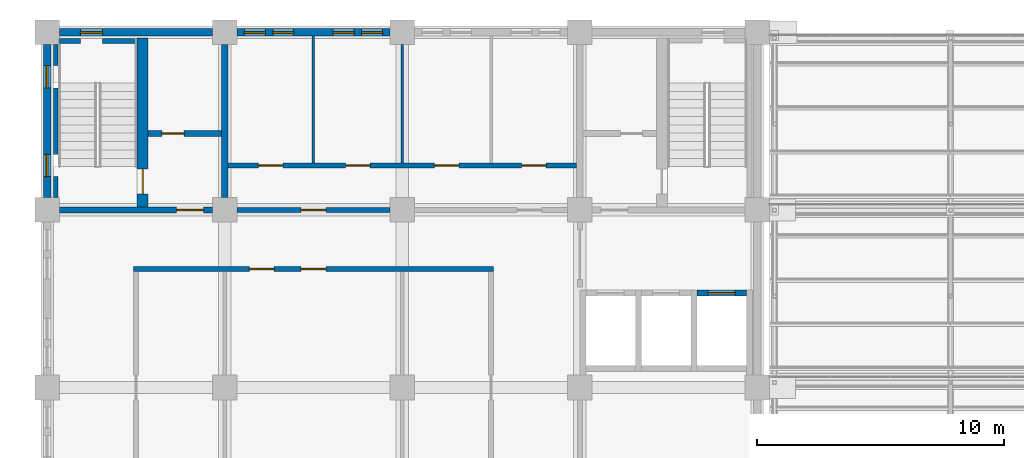
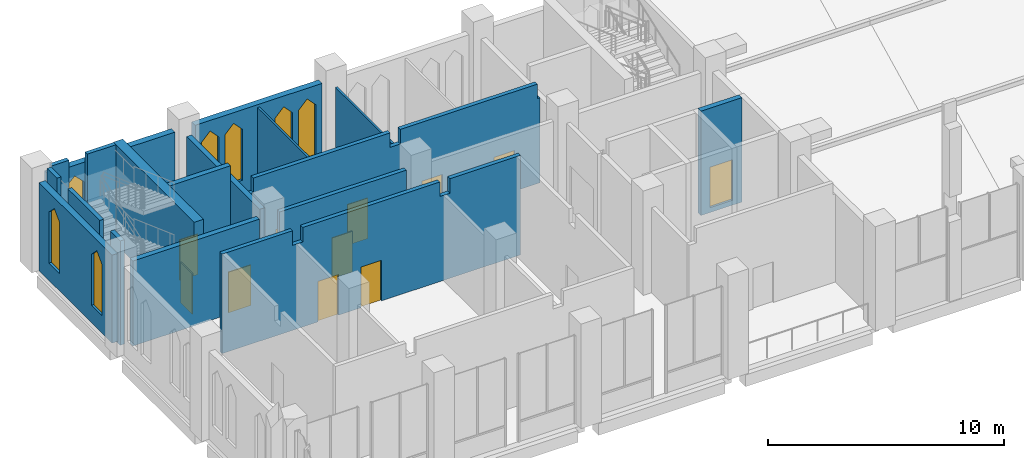
# One storey, part 72 of 83: 18 walls, 11 doors, 7 windows, 18 openings.
"""IFC4 building model written with IfcOpenShell, lengths in metres."""

from ifc_helpers import new_model, si_unit, direction, frame, frame_2d, origin, place, context, subcontext, project, spatial, polyline, rectangle, outline, extrude, material, layer, layer_set, type_object, element, fill, save


model = new_model("IFC4")

# Units and contexts
model_context = context("Model", 3, precision=1e-05, world=origin(), true_north=direction((0.0, 1.0)))
body_context = subcontext(model_context, "Body", "Model", "MODEL_VIEW")
ifc_project = project(units=[si_unit("LENGTHUNIT", "METRE"), si_unit("AREAUNIT", "SQUARE_METRE"), si_unit("VOLUMEUNIT", "CUBIC_METRE"), si_unit("PLANEANGLEUNIT", "RADIAN"), si_unit("MASSUNIT", "GRAM", prefix="KILO")], contexts=[model_context])

# Site, building, storey
site_placement = place(None, origin())
site = spatial("IfcSite", under=ifc_project, at=site_placement, CompositionType="ELEMENT")
building_placement = place(site_placement, origin())
building = spatial("IfcBuilding", under=site, at=building_placement, Name="Silangan Lancet Faculty of Sciences", CompositionType="ELEMENT")
storey_placement = place(building_placement, frame((0.0, 0.0, 11.39990234375)))
storey = spatial("IfcBuildingStorey", under=building, at=storey_placement, Name="L02", CompositionType="ELEMENT", Elevation=11.39990234375)

# Wall, openings, windows
ifc_material_1 = material(Name="Concrete C40/50 precast", Category="concrete")
ifc_layer_1 = layer(ifc_material_1, 0.300048828125)
ifc_layer_set_1 = layer_set([ifc_layer_1], Name="Concrete C40/50 precast")
wall_type_1 = type_object("IfcWallType", Name="EW2 Turret enclosure wall", PredefinedType="STANDARD", material=ifc_layer_set_1)
wall_1_placement = place(storey_placement, frame((0.0, 50.89990234375, 0.0), z_axis=(0.0, 0.0, 1.0), x_axis=(0.0, 1.0, 0.0)))
wall_1 = element("IfcWall", 1, at=wall_1_placement, inside=storey, type_object=wall_type_1, Name="EW-L02-W-NT-02", PredefinedType="STANDARD", context=body_context, shape_type="SweptSolid", body=[
    extrude(rectangle(XDim=6.2001953125, YDim=0.300048828125, at=frame_2d((3.10009765625, 0.0))), origin(), (0.0, 0.0, 1.0), 4.550048828125),
])
opening_1_placement = place(wall_1_placement, frame((0.85009765625, 0.0, 0.89990234375)))
opening_1 = element("IfcOpeningElement", 2, at=opening_1_placement, cuts=wall_1, Name="Opening W8", PredefinedType="OPENING", context=body_context, shape_type="SweptSolid", body=[
    extrude(outline(polyline([(0.0, 0.0), (0.89990234375, 0.0), (0.89990234375, 2.650146484375), (0.449951171875, 3.10009765625), (0.0, 2.650146484375), (0.0, 0.0)])), frame((0.0, 0.159912109375, 0.0), z_axis=(0.0, -1.0, 0.0), x_axis=(1.0, 0.0, 0.0)), (0.0, 0.0, 1.0), 0.320068359375),
])
opening_2_placement = place(wall_1_placement, frame((4.449951171875, 0.0, 0.89990234375)))
opening_2 = element("IfcOpeningElement", 3, at=opening_2_placement, cuts=wall_1, Name="Opening W8", PredefinedType="OPENING", context=body_context, shape_type="SweptSolid", body=[
    extrude(outline(polyline([(0.0, 0.0), (0.89990234375, 0.0), (0.89990234375, 2.650146484375), (0.449951171875, 3.10009765625), (0.0, 2.650146484375), (0.0, 0.0)])), frame((0.0, 0.159912109375, 0.0), z_axis=(0.0, -1.0, 0.0), x_axis=(1.0, 0.0, 0.0)), (0.0, 0.0, 1.0), 0.320068359375),
])
ifc_material_2 = material(Name="Aluminium frame, laminated double glazing", Category="aluminium")
window_type_1 = type_object("IfcWindowType", Name="W8 Lancet window 900 x 3100", PartitioningType="SINGLE_PANEL", PredefinedType="WINDOW", material=ifc_material_2)
window_1_placement = place(opening_1_placement, origin())
window_1 = element("IfcWindow", 4, at=window_1_placement, inside=storey, type_object=window_type_1, Name="WIN-L02-W-NT-02a", OverallHeight=3.10009765625, OverallWidth=0.89990234375, PartitioningType="SINGLE_PANEL", PredefinedType="WINDOW", context=body_context, shape_type="SweptSolid", body=[
    extrude(outline(polyline([(0.0, 0.0), (0.89990234375, 0.0), (0.89990234375, 2.650146484375), (0.449951171875, 3.10009765625), (0.0, 2.650146484375), (0.0, 0.0)])), frame((0.0, 0.030029296875, 0.0), z_axis=(0.0, -1.0, 0.0), x_axis=(1.0, 0.0, 0.0)), (0.0, 0.0, 1.0), 0.06005859375),
])
fill(opening_1, window_1)
window_2_placement = place(opening_2_placement, origin())
window_2 = element("IfcWindow", 5, at=window_2_placement, inside=storey, type_object=window_type_1, Name="WIN-L02-W-NT-02b", OverallHeight=3.10009765625, OverallWidth=0.89990234375, PartitioningType="SINGLE_PANEL", PredefinedType="WINDOW", context=body_context, shape_type="SweptSolid", body=[
    extrude(outline(polyline([(0.0, 0.0), (0.89990234375, 0.0), (0.89990234375, 2.650146484375), (0.449951171875, 3.10009765625), (0.0, 2.650146484375), (0.0, 0.0)])), frame((0.0, 0.030029296875, 0.0), z_axis=(0.0, -1.0, 0.0), x_axis=(1.0, 0.0, 0.0)), (0.0, 0.0, 1.0), 0.06005859375),
])
fill(opening_2, window_2)

# Wall, opening, window
wall_2_placement = place(storey_placement, frame((6.699951171875, 57.60009765625, 0.0), z_axis=(0.0, 0.0, 1.0), x_axis=(-1.0, 0.0, 0.0)))
wall_2 = element("IfcWall", 6, at=wall_2_placement, inside=storey, type_object=wall_type_1, Name="EW-L02-N-NT-03", PredefinedType="STANDARD", context=body_context, shape_type="SweptSolid", body=[
    extrude(rectangle(XDim=6.199951171875, YDim=0.300048828125, at=frame_2d((3.10009765625, 0.0))), origin(), (0.0, 0.0, 1.0), 4.550048828125),
])
opening_3_placement = place(wall_2_placement, frame((4.449951171875, 0.0, 0.89990234375)))
opening_3 = element("IfcOpeningElement", 7, at=opening_3_placement, cuts=wall_2, Name="Opening W8", PredefinedType="OPENING", context=body_context, shape_type="SweptSolid", body=[
    extrude(outline(polyline([(0.0, 0.0), (0.89990234375, 0.0), (0.89990234375, 2.650146484375), (0.449951171875, 3.10009765625), (0.0, 2.650146484375), (0.0, 0.0)])), frame((0.0, 0.159912109375, 0.0), z_axis=(0.0, -1.0, 0.0), x_axis=(1.0, 0.0, 0.0)), (0.0, 0.0, 1.0), 0.320068359375),
])
window_3_placement = place(opening_3_placement, origin())
window_3 = element("IfcWindow", 8, at=window_3_placement, inside=storey, type_object=window_type_1, Name="WIN-L02-N-NT-03b", OverallHeight=3.10009765625, OverallWidth=0.89990234375, PartitioningType="SINGLE_PANEL", PredefinedType="WINDOW", context=body_context, shape_type="SweptSolid", body=[
    extrude(outline(polyline([(0.0, 0.0), (0.89990234375, 0.0), (0.89990234375, 2.650146484375), (0.449951171875, 3.10009765625), (0.0, 2.650146484375), (0.0, 0.0)])), frame((0.0, 0.030029296875, 0.0), z_axis=(0.0, -1.0, 0.0), x_axis=(1.0, 0.0, 0.0)), (0.0, 0.0, 1.0), 0.06005859375),
])
fill(opening_3, window_3)

# Wall, openings, windows
ifc_material_3 = material(Name="Concrete C40/50", Category="concrete")
ifc_layer_2 = layer(ifc_material_3, 0.300048828125)
ifc_layer_set_2 = layer_set([ifc_layer_2], Name="Concrete C40/50")
wall_type_2 = type_object("IfcWallType", Name="EW6 Stone-faced base wall", PredefinedType="STANDARD", material=ifc_layer_set_2)
wall_3_placement = place(storey_placement, frame((13.89990234375, 57.60009765625, 0.0), z_axis=(0.0, 0.0, 1.0), x_axis=(-1.0, 0.0, 0.0)))
wall_3 = element("IfcWall", 9, at=wall_3_placement, inside=storey, type_object=wall_type_2, Name="EW-L02-N-NT-02", PredefinedType="STANDARD", context=body_context, shape_type="SweptSolid", body=[
    extrude(rectangle(XDim=6.199951171875, YDim=0.300048828125, at=frame_2d((3.10009765625, 0.0))), origin(), (0.0, 0.0, 1.0), 4.550048828125),
])
opening_4_placement = place(wall_3_placement, frame((0.300048828125, 0.0, 0.89990234375)))
opening_4 = element("IfcOpeningElement", 10, at=opening_4_placement, cuts=wall_3, Name="Opening W9", PredefinedType="OPENING", context=body_context, shape_type="SweptSolid", body=[
    extrude(outline(polyline([(0.0, 0.0), (0.85009765625, 0.0), (0.85009765625, 2.650146484375), (0.425048828125, 3.10009765625), (0.0, 2.650146484375), (0.0, 0.0)])), frame((0.0, 0.159912109375, 0.0), z_axis=(0.0, -1.0, 0.0), x_axis=(1.0, 0.0, 0.0)), (0.0, 0.0, 1.0), 0.320068359375),
])
opening_5_placement = place(wall_3_placement, frame((1.449951171875, 0.0, 0.89990234375)))
opening_5 = element("IfcOpeningElement", 11, at=opening_5_placement, cuts=wall_3, Name="Opening W9", PredefinedType="OPENING", context=body_context, shape_type="SweptSolid", body=[
    extrude(outline(polyline([(0.0, 0.0), (0.85009765625, 0.0), (0.85009765625, 2.650146484375), (0.425048828125, 3.10009765625), (0.0, 2.650146484375), (0.0, 0.0)])), frame((0.0, 0.159912109375, 0.0), z_axis=(0.0, -1.0, 0.0), x_axis=(1.0, 0.0, 0.0)), (0.0, 0.0, 1.0), 0.320068359375),
])
opening_6_placement = place(wall_3_placement, frame((3.89990234375, 0.0, 0.89990234375)))
opening_6 = element("IfcOpeningElement", 12, at=opening_6_placement, cuts=wall_3, Name="Opening W9", PredefinedType="OPENING", context=body_context, shape_type="SweptSolid", body=[
    extrude(outline(polyline([(0.0, 0.0), (0.85009765625, 0.0), (0.85009765625, 2.650146484375), (0.425048828125, 3.10009765625), (0.0, 2.650146484375), (0.0, 0.0)])), frame((0.0, 0.159912109375, 0.0), z_axis=(0.0, -1.0, 0.0), x_axis=(1.0, 0.0, 0.0)), (0.0, 0.0, 1.0), 0.320068359375),
])
opening_7_placement = place(wall_3_placement, frame((5.050048828125, 0.0, 0.89990234375)))
opening_7 = element("IfcOpeningElement", 13, at=opening_7_placement, cuts=wall_3, Name="Opening W9", PredefinedType="OPENING", context=body_context, shape_type="SweptSolid", body=[
    extrude(outline(polyline([(0.0, 0.0), (0.85009765625, 0.0), (0.85009765625, 2.650146484375), (0.425048828125, 3.10009765625), (0.0, 2.650146484375), (0.0, 0.0)])), frame((0.0, 0.159912109375, 0.0), z_axis=(0.0, -1.0, 0.0), x_axis=(1.0, 0.0, 0.0)), (0.0, 0.0, 1.0), 0.320068359375),
])
ifc_material_4 = material(Name="Aluminium frame, laminated double glazing", Category="aluminium")
window_type_2 = type_object("IfcWindowType", Name="W9 Lancet window 850 x 3100", PartitioningType="SINGLE_PANEL", PredefinedType="WINDOW", material=ifc_material_4)
window_4_placement = place(opening_4_placement, origin())
window_4 = element("IfcWindow", 14, at=window_4_placement, inside=storey, type_object=window_type_2, Name="WIN-L02-N-NT-02a1", OverallHeight=3.10009765625, OverallWidth=0.85009765625, PartitioningType="SINGLE_PANEL", PredefinedType="WINDOW", context=body_context, shape_type="SweptSolid", body=[
    extrude(outline(polyline([(0.0, 0.0), (0.85009765625, 0.0), (0.85009765625, 2.650146484375), (0.425048828125, 3.10009765625), (0.0, 2.650146484375), (0.0, 0.0)])), frame((0.0, 0.030029296875, 0.0), z_axis=(0.0, -1.0, 0.0), x_axis=(1.0, 0.0, 0.0)), (0.0, 0.0, 1.0), 0.06005859375),
])
fill(opening_4, window_4)
window_5_placement = place(opening_5_placement, origin())
window_5 = element("IfcWindow", 15, at=window_5_placement, inside=storey, type_object=window_type_2, Name="WIN-L02-N-NT-02a2", OverallHeight=3.10009765625, OverallWidth=0.85009765625, PartitioningType="SINGLE_PANEL", PredefinedType="WINDOW", context=body_context, shape_type="SweptSolid", body=[
    extrude(outline(polyline([(0.0, 0.0), (0.85009765625, 0.0), (0.85009765625, 2.650146484375), (0.425048828125, 3.10009765625), (0.0, 2.650146484375), (0.0, 0.0)])), frame((0.0, 0.030029296875, 0.0), z_axis=(0.0, -1.0, 0.0), x_axis=(1.0, 0.0, 0.0)), (0.0, 0.0, 1.0), 0.06005859375),
])
fill(opening_5, window_5)
window_6_placement = place(opening_6_placement, origin())
window_6 = element("IfcWindow", 16, at=window_6_placement, inside=storey, type_object=window_type_2, Name="WIN-L02-N-NT-02b1", OverallHeight=3.10009765625, OverallWidth=0.85009765625, PartitioningType="SINGLE_PANEL", PredefinedType="WINDOW", context=body_context, shape_type="SweptSolid", body=[
    extrude(outline(polyline([(0.0, 0.0), (0.85009765625, 0.0), (0.85009765625, 2.650146484375), (0.425048828125, 3.10009765625), (0.0, 2.650146484375), (0.0, 0.0)])), frame((0.0, 0.030029296875, 0.0), z_axis=(0.0, -1.0, 0.0), x_axis=(1.0, 0.0, 0.0)), (0.0, 0.0, 1.0), 0.06005859375),
])
fill(opening_6, window_6)
window_7_placement = place(opening_7_placement, origin())
window_7 = element("IfcWindow", 17, at=window_7_placement, inside=storey, type_object=window_type_2, Name="WIN-L02-N-NT-02b2", OverallHeight=3.10009765625, OverallWidth=0.85009765625, PartitioningType="SINGLE_PANEL", PredefinedType="WINDOW", context=body_context, shape_type="SweptSolid", body=[
    extrude(outline(polyline([(0.0, 0.0), (0.85009765625, 0.0), (0.85009765625, 2.650146484375), (0.425048828125, 3.10009765625), (0.0, 2.650146484375), (0.0, 0.0)])), frame((0.0, 0.030029296875, 0.0), z_axis=(0.0, -1.0, 0.0), x_axis=(1.0, 0.0, 0.0)), (0.0, 0.0, 1.0), 0.06005859375),
])
fill(opening_7, window_7)

# Wall, openings, doors
ifc_material_5 = material(Name="Hollow block masonry fm 7 MPa", Category="masonry")
ifc_layer_3 = layer(ifc_material_5, 0.199951171875)
ifc_layer_set_3 = layer_set([ifc_layer_3], Name="Hollow block masonry fm 7 MPa")
wall_type_3 = type_object("IfcWallType", Name="Interior wall PW1 Corridor wall CHB 200", PredefinedType="PARTITIONING", material=ifc_layer_set_3)
wall_4_placement = place(storey_placement, frame((3.5, 48.0, 0.0), z_axis=(0.0, 0.0, 1.0), x_axis=(1.0, 0.0, 0.0)))
wall_4 = element("IfcWall", 18, at=wall_4_placement, inside=storey, type_object=wall_type_3, Name="Corridor wall CHB 200", PredefinedType="PARTITIONING", context=body_context, shape_type="SweptSolid", body=[
    extrude(outline(polyline([(0.0, 0.0), (14.60009765625, 0.0), (14.60009765625, 5.150146484375), (11.14990234375, 5.150146484375), (11.14990234375, 4.400146484375), (10.64990234375, 4.400146484375), (10.64990234375, 5.150146484375), (3.949951171875, 5.150146484375), (3.949951171875, 4.400146484375), (3.449951171875, 4.400146484375), (3.449951171875, 5.150146484375), (0.0, 5.150146484375), (0.0, 0.0)])), frame((0.0, 0.10009765625, 0.0), z_axis=(0.0, -1.0, 0.0), x_axis=(1.0, 0.0, 0.0)), (0.0, 0.0, 1.0), 0.199951171875),
])
opening_8_placement = place(wall_4_placement, frame((6.800048828125, 0.0, 0.0)))
opening_8 = element("IfcOpeningElement", 19, at=opening_8_placement, cuts=wall_4, Name="Opening L02-023", PredefinedType="OPENING", context=body_context, shape_type="SweptSolid", body=[
    extrude(rectangle(XDim=1.0, YDim=2.10009765625, at=frame_2d((0.5, 1.050048828125))), frame((0.0, 0.10986328125, 0.0), z_axis=(0.0, -1.0, 0.0), x_axis=(1.0, 0.0, 0.0)), (0.0, 0.0, 1.0), 0.219970703125),
])
opening_9_placement = place(wall_4_placement, frame((4.699951171875, 0.0, 0.0)))
opening_9 = element("IfcOpeningElement", 20, at=opening_9_placement, cuts=wall_4, Name="Opening L02-024", PredefinedType="OPENING", context=body_context, shape_type="SweptSolid", body=[
    extrude(rectangle(XDim=1.0, YDim=2.10009765625, at=frame_2d((0.5, 1.050048828125))), frame((0.0, 0.10986328125, 0.0), z_axis=(0.0, -1.0, 0.0), x_axis=(1.0, 0.0, 0.0)), (0.0, 0.0, 1.0), 0.219970703125),
])
ifc_material_6 = material(Name="Steel fire door set", Category="steel")
door_type_1 = type_object("IfcDoorType", Name="Door D1 Single leaf fire door 1000 x 2100", OperationType="SINGLE_SWING_LEFT", PredefinedType="DOOR", material=ifc_material_6)
door_1_placement = place(opening_8_placement, frame((1.0, 0.0, 0.0), z_axis=(0.0, 0.0, 1.0), x_axis=(-1.0, 0.0, 0.0)))
door_1 = element("IfcDoor", 21, at=door_1_placement, inside=storey, type_object=door_type_1, Name="Single leaf fire door 1000 x 2100", OperationType="SINGLE_SWING_RIGHT", OverallHeight=2.10009765625, OverallWidth=1.0, PredefinedType="DOOR", context=body_context, shape_type="SweptSolid", body=[
    extrude(rectangle(XDim=1.0, YDim=2.10009765625, at=frame_2d((0.5, 1.050048828125))), frame((0.0, 0.025146484375, 0.0), z_axis=(0.0, -1.0, 0.0), x_axis=(1.0, 0.0, 0.0)), (0.0, 0.0, 1.0), 0.050048828125),
])
fill(opening_8, door_1)
door_2_placement = place(opening_9_placement, frame((1.0, 0.0, 0.0), z_axis=(0.0, 0.0, 1.0), x_axis=(-1.0, 0.0, 0.0)))
door_2 = element("IfcDoor", 22, at=door_2_placement, inside=storey, type_object=door_type_1, Name="Single leaf fire door 1000 x 2100", OperationType="SINGLE_SWING_RIGHT", OverallHeight=2.10009765625, OverallWidth=1.0, PredefinedType="DOOR", context=body_context, shape_type="SweptSolid", body=[
    extrude(rectangle(XDim=1.0, YDim=2.10009765625, at=frame_2d((0.5, 1.050048828125))), frame((0.0, 0.025146484375, 0.0), z_axis=(0.0, -1.0, 0.0), x_axis=(1.0, 0.0, 0.0)), (0.0, 0.0, 1.0), 0.050048828125),
])
fill(opening_9, door_2)

# Wall, opening, door
wall_5_placement = place(storey_placement, frame((7.699951171875, 50.39990234375, 0.0), z_axis=(0.0, 0.0, 1.0), x_axis=(1.0, 0.0, 0.0)))
wall_5 = element("IfcWall", 23, at=wall_5_placement, inside=storey, type_object=wall_type_3, Name="Corridor wall CHB 200", PredefinedType="PARTITIONING", context=body_context, shape_type="SweptSolid", body=[
    extrude(rectangle(XDim=6.199951171875, YDim=0.199951171875, at=frame_2d((3.10009765625, 0.0))), origin(), (0.0, 0.0, 1.0), 4.400146484375),
])
opening_10_placement = place(wall_5_placement, frame((2.599853515625, 0.0, 0.0)))
opening_10 = element("IfcOpeningElement", 24, at=opening_10_placement, cuts=wall_5, Name="Opening L02-005", PredefinedType="OPENING", context=body_context, shape_type="SweptSolid", body=[
    extrude(rectangle(XDim=1.0, YDim=2.10009765625, at=frame_2d((0.5, 1.050048828125))), frame((0.0, 0.10986328125, 0.0), z_axis=(0.0, -1.0, 0.0), x_axis=(1.0, 0.0, 0.0)), (0.0, 0.0, 1.0), 0.219970703125),
])
door_3_placement = place(opening_10_placement, origin())
door_3 = element("IfcDoor", 25, at=door_3_placement, inside=storey, type_object=door_type_1, Name="Single leaf fire door 1000 x 2100", OperationType="SINGLE_SWING_LEFT", OverallHeight=2.10009765625, OverallWidth=1.0, PredefinedType="DOOR", context=body_context, shape_type="SweptSolid", body=[
    extrude(rectangle(XDim=1.0, YDim=2.10009765625, at=frame_2d((0.5, 1.050048828125))), frame((0.0, 0.02490234375, 0.0), z_axis=(0.0, -1.0, 0.0), x_axis=(1.0, 0.0, 0.0)), (0.0, 0.0, 1.0), 0.050048828125),
])
fill(opening_10, door_3)

# Wall, openings, doors
wall_6_placement = place(storey_placement, frame((7.324951171875, 52.199951171875, 0.0), z_axis=(0.0, 0.0, 1.0), x_axis=(1.0, 0.0, 0.0)))
wall_6 = element("IfcWall", 26, at=wall_6_placement, inside=storey, type_object=wall_type_3, Name="Corridor wall CHB 200", PredefinedType="PARTITIONING", context=body_context, shape_type="SweptSolid", body=[
    extrude(outline(polyline([(0.0, 0.0), (14.150146484375, 0.0), (14.150146484375, 4.400146484375), (14.02490234375, 4.400146484375), (14.02490234375, 5.150146484375), (7.324951171875, 5.150146484375), (7.324951171875, 4.400146484375), (6.824951171875, 4.400146484375), (6.824951171875, 5.150146484375), (0.125, 5.150146484375), (0.125, 4.400146484375), (0.0, 4.400146484375), (0.0, 0.0)])), frame((0.0, 0.10009765625, 0.0), z_axis=(0.0, -1.0, 0.0), x_axis=(1.0, 0.0, 0.0)), (0.0, 0.0, 1.0), 0.199951171875),
])
opening_11_placement = place(wall_6_placement, frame((1.237548828125, 0.0, 0.0)))
opening_11 = element("IfcOpeningElement", 27, at=opening_11_placement, cuts=wall_6, Name="Opening L02-018", PredefinedType="OPENING", context=body_context, shape_type="SweptSolid", body=[
    extrude(rectangle(XDim=1.0, YDim=2.10009765625, at=frame_2d((0.5, 1.050048828125))), frame((0.0, 0.10986328125, 0.0), z_axis=(0.0, -1.0, 0.0), x_axis=(1.0, 0.0, 0.0)), (0.0, 0.0, 1.0), 0.219970703125),
])
opening_12_placement = place(wall_6_placement, frame((4.77490234375, 0.0, 0.0)))
opening_12 = element("IfcOpeningElement", 28, at=opening_12_placement, cuts=wall_6, Name="Opening L02-019", PredefinedType="OPENING", context=body_context, shape_type="SweptSolid", body=[
    extrude(rectangle(XDim=1.0, YDim=2.10009765625, at=frame_2d((0.5, 1.050048828125))), frame((0.0, 0.10986328125, 0.0), z_axis=(0.0, -1.0, 0.0), x_axis=(1.0, 0.0, 0.0)), (0.0, 0.0, 1.0), 0.219970703125),
])
opening_13_placement = place(wall_6_placement, frame((8.375, 0.0, 0.0)))
opening_13 = element("IfcOpeningElement", 29, at=opening_13_placement, cuts=wall_6, Name="Opening L02-020", PredefinedType="OPENING", context=body_context, shape_type="SweptSolid", body=[
    extrude(rectangle(XDim=1.0, YDim=2.10009765625, at=frame_2d((0.5, 1.050048828125))), frame((0.0, 0.10986328125, 0.0), z_axis=(0.0, -1.0, 0.0), x_axis=(1.0, 0.0, 0.0)), (0.0, 0.0, 1.0), 0.219970703125),
])
opening_14_placement = place(wall_6_placement, frame((11.91259765625, 0.0, 0.0)))
opening_14 = element("IfcOpeningElement", 30, at=opening_14_placement, cuts=wall_6, Name="Opening L02-021", PredefinedType="OPENING", context=body_context, shape_type="SweptSolid", body=[
    extrude(rectangle(XDim=1.0, YDim=2.10009765625, at=frame_2d((0.5, 1.050048828125))), frame((0.0, 0.10986328125, 0.0), z_axis=(0.0, -1.0, 0.0), x_axis=(1.0, 0.0, 0.0)), (0.0, 0.0, 1.0), 0.219970703125),
])
door_4_placement = place(opening_11_placement, origin())
door_4 = element("IfcDoor", 31, at=door_4_placement, inside=storey, type_object=door_type_1, Name="Single leaf fire door 1000 x 2100", OperationType="SINGLE_SWING_RIGHT", OverallHeight=2.10009765625, OverallWidth=1.0, PredefinedType="DOOR", context=body_context, shape_type="SweptSolid", body=[
    extrude(rectangle(XDim=1.0, YDim=2.10009765625, at=frame_2d((0.5, 1.050048828125))), frame((0.0, 0.02490234375, 0.0), z_axis=(0.0, -1.0, 0.0), x_axis=(1.0, 0.0, 0.0)), (0.0, 0.0, 1.0), 0.050048828125),
])
fill(opening_11, door_4)
door_5_placement = place(opening_12_placement, origin())
door_5 = element("IfcDoor", 32, at=door_5_placement, inside=storey, type_object=door_type_1, Name="Single leaf fire door 1000 x 2100", OperationType="SINGLE_SWING_LEFT", OverallHeight=2.10009765625, OverallWidth=1.0, PredefinedType="DOOR", context=body_context, shape_type="SweptSolid", body=[
    extrude(rectangle(XDim=1.0, YDim=2.10009765625, at=frame_2d((0.5, 1.050048828125))), frame((0.0, 0.02490234375, 0.0), z_axis=(0.0, -1.0, 0.0), x_axis=(1.0, 0.0, 0.0)), (0.0, 0.0, 1.0), 0.050048828125),
])
fill(opening_12, door_5)
door_6_placement = place(opening_13_placement, origin())
door_6 = element("IfcDoor", 33, at=door_6_placement, inside=storey, type_object=door_type_1, Name="Single leaf fire door 1000 x 2100", OperationType="SINGLE_SWING_RIGHT", OverallHeight=2.10009765625, OverallWidth=1.0, PredefinedType="DOOR", context=body_context, shape_type="SweptSolid", body=[
    extrude(rectangle(XDim=1.0, YDim=2.10009765625, at=frame_2d((0.5, 1.050048828125))), frame((0.0, 0.02490234375, 0.0), z_axis=(0.0, -1.0, 0.0), x_axis=(1.0, 0.0, 0.0)), (0.0, 0.0, 1.0), 0.050048828125),
])
fill(opening_13, door_6)
door_7_placement = place(opening_14_placement, origin())
door_7 = element("IfcDoor", 34, at=door_7_placement, inside=storey, type_object=door_type_1, Name="Single leaf fire door 1000 x 2100", OperationType="SINGLE_SWING_LEFT", OverallHeight=2.10009765625, OverallWidth=1.0, PredefinedType="DOOR", context=body_context, shape_type="SweptSolid", body=[
    extrude(rectangle(XDim=1.0, YDim=2.10009765625, at=frame_2d((0.5, 1.050048828125))), frame((0.0, 0.02490234375, 0.0), z_axis=(0.0, -1.0, 0.0), x_axis=(1.0, 0.0, 0.0)), (0.0, 0.0, 1.0), 0.050048828125),
])
fill(opening_14, door_7)

# Walls
ifc_material_7 = material(Name="Hollow block masonry fm 7 MPa", Category="masonry")
ifc_layer_4 = layer(ifc_material_7, 0.10009765625)
ifc_layer_set_4 = layer_set([ifc_layer_4], Name="Hollow block masonry fm 7 MPa")
wall_type_4 = type_object("IfcWallType", Name="Interior wall PW8 WC partition CHB 100", PredefinedType="PARTITIONING", material=ifc_layer_set_4)
wall_7_placement = place(storey_placement, frame((10.800048828125, 52.300048828125, 0.0), z_axis=(0.0, 0.0, 1.0), x_axis=(0.0, 1.0, 0.0)))
element("IfcWall", 35, at=wall_7_placement, inside=storey, type_object=wall_type_4, Name="WC partition CHB 100", PredefinedType="PARTITIONING", context=body_context, shape_type="SweptSolid", body=[
    extrude(rectangle(XDim=5.14990234375, YDim=0.10009765625, at=frame_2d((2.574951171875, 0.0))), origin(), (0.0, 0.0, 1.0), 4.400146484375),
])
wall_8_placement = place(storey_placement, frame((14.39990234375, 52.300048828125, 0.0), z_axis=(0.0, 0.0, 1.0), x_axis=(0.0, 1.0, 0.0)))
element("IfcWall", 36, at=wall_8_placement, inside=storey, type_object=wall_type_4, Name="WC partition CHB 100", PredefinedType="PARTITIONING", context=body_context, shape_type="SweptSolid", body=[
    extrude(rectangle(XDim=4.800048828125, YDim=0.10009765625, at=frame_2d((2.39990234375, 0.0))), origin(), (0.0, 0.0, 1.0), 4.400146484375),
])

# Wall, opening, door
ifc_material_8 = material(Name="Concrete C40/50", Category="concrete")
ifc_layer_5 = layer(ifc_material_8, 0.25)
ifc_layer_set_5 = layer_set([ifc_layer_5], Name="Concrete C40/50")
wall_type_5 = type_object("IfcWallType", Name="LIFT SHAFT WALL RC 250", PredefinedType="SHEAR", material=ifc_layer_set_5)
wall_9_placement = place(storey_placement, frame((26.35009765625, 47.02490234375, -0.25), z_axis=(0.0, 0.0, 1.0), x_axis=(1.0, 0.0, 0.0)))
wall_9 = element("IfcWall", 37, at=wall_9_placement, inside=storey, type_object=wall_type_5, Name="WALL-L02-NT-L3-F", PredefinedType="SHEAR", context=body_context, shape_type="SweptSolid", body=[
    extrude(rectangle(XDim=2.0, YDim=0.25, at=frame_2d((1.0, 0.0))), origin(), (0.0, 0.0, 1.0), 5.400146484375),
])
opening_15_placement = place(wall_9_placement, frame((0.449951171875, 0.0, 0.25)))
opening_15 = element("IfcOpeningElement", 38, at=opening_15_placement, cuts=wall_9, Name="Opening L02-806", PredefinedType="OPENING", context=body_context, shape_type="SweptSolid", body=[
    extrude(rectangle(XDim=1.10009765625, YDim=2.10009765625, at=frame_2d((0.550048828125, 1.050048828125))), frame((0.0, 0.135009765625, 0.0), z_axis=(0.0, -1.0, 0.0), x_axis=(1.0, 0.0, 0.0)), (0.0, 0.0, 1.0), 0.27001953125),
])
ifc_material_9 = material(Name="Stainless steel sliding door", Category="steel")
door_type_2 = type_object("IfcDoorType", Name="LD1 Lift landing door 1100x2100", OperationType="SLIDING_TO_LEFT", PredefinedType="DOOR", material=ifc_material_9)
door_8_placement = place(opening_15_placement, origin())
door_8 = element("IfcDoor", 39, at=door_8_placement, inside=storey, type_object=door_type_2, Name="Landing door NT-L3 L02", OperationType="SLIDING_TO_LEFT", OverallHeight=2.10009765625, OverallWidth=1.10009765625, PredefinedType="DOOR", context=body_context, shape_type="SweptSolid", body=[
    extrude(rectangle(XDim=1.10009765625, YDim=2.10009765625, at=frame_2d((0.550048828125, 1.050048828125))), frame((0.0, 0.02490234375, 0.0), z_axis=(0.0, -1.0, 0.0), x_axis=(1.0, 0.0, 0.0)), (0.0, 0.0, 1.0), 0.050048828125),
])
fill(opening_15, door_8)

ifc_material_10 = material(Name="Concrete C40/50", Category="concrete")
ifc_layer_6 = layer(ifc_material_10, 0.449951171875)
ifc_layer_set_6 = layer_set([ifc_layer_6], Name="Concrete C40/50")
wall_type_6 = type_object("IfcWallType", Name="TURRET CORE WALL RC 450", PredefinedType="SHEAR", material=ifc_layer_set_6)
wall_10_placement = place(storey_placement, frame((3.875, 50.52490234375, 0.0), z_axis=(0.0, 0.0, 1.0), x_axis=(0.0, 1.0, 0.0)))
wall_10 = element("IfcWall", 40, at=wall_10_placement, inside=storey, type_object=wall_type_6, Name="WALL-L02-NT-A-WELL", PredefinedType="SHEAR", context=body_context, shape_type="SweptSolid", body=[
    extrude(rectangle(XDim=6.85009765625, YDim=0.449951171875, at=frame_2d((3.425048828125, 0.0))), origin(), (0.0, 0.0, 1.0), 5.150146484375),
])
opening_16_placement = place(wall_10_placement, frame((0.52490234375, 0.0, 0.0)))
opening_16 = element("IfcOpeningElement", 41, at=opening_16_placement, cuts=wall_10, Name="Opening L02-707", PredefinedType="OPENING", context=body_context, shape_type="SweptSolid", body=[
    extrude(rectangle(XDim=1.0, YDim=2.10009765625, at=frame_2d((0.5, 1.050048828125))), frame((0.0, 0.23486328125, 0.0), z_axis=(0.0, -1.0, 0.0), x_axis=(1.0, 0.0, 0.0)), (0.0, 0.0, 1.0), 0.469970703125),
])
ifc_material_11 = material(Name="Steel fire door set", Category="steel")
door_type_3 = type_object("IfcDoorType", Name="D71 Stair enclosure door 1000x2100", OperationType="SINGLE_SWING_LEFT", PredefinedType="DOOR", material=ifc_material_11)
door_9_placement = place(opening_16_placement, origin())
door_9 = element("IfcDoor", 42, at=door_9_placement, inside=storey, type_object=door_type_3, Name="Stair enclosure door NT-A L02", OperationType="SINGLE_SWING_LEFT", OverallHeight=2.10009765625, OverallWidth=1.0, PredefinedType="DOOR", context=body_context, shape_type="SweptSolid", body=[
    extrude(rectangle(XDim=1.0, YDim=2.10009765625, at=frame_2d((0.5, 1.050048828125))), frame((0.0, 0.02490234375, 0.0), z_axis=(0.0, -1.0, 0.0), x_axis=(1.0, 0.0, 0.0)), (0.0, 0.0, 1.0), 0.050048828125),
])
fill(opening_16, door_9)

# Walls
ifc_material_12 = material(Name="Concrete C40/50", Category="concrete")
ifc_layer_7 = layer(ifc_material_12, 0.199951171875)
ifc_layer_set_7 = layer_set([ifc_layer_7], Name="Concrete C40/50")
wall_type_7 = type_object("IfcWallType", Name="TURRET LINING WALL RC 200", PredefinedType="SHEAR", material=ifc_layer_set_7)
wall_11_placement = place(storey_placement, frame((0.35009765625, 50.89990234375, -0.25), z_axis=(0.0, 0.0, 1.0), x_axis=(0.0, 1.0, 0.0)))
element("IfcWall", 43, at=wall_11_placement, inside=storey, type_object=wall_type_7, Name="WALL-L02-NT-A-WL", PredefinedType="SHEAR", context=body_context, shape_type="SweptSolid", body=[
    extrude(rectangle(XDim=0.85009765625, YDim=0.199951171875, at=frame_2d((0.425048828125, 0.0))), origin(), (0.0, 0.0, 1.0), 5.400146484375),
])
wall_12_placement = place(storey_placement, frame((0.35009765625, 52.64990234375, -0.25), z_axis=(0.0, 0.0, 1.0), x_axis=(0.0, 1.0, 0.0)))
element("IfcWall", 44, at=wall_12_placement, inside=storey, type_object=wall_type_7, Name="WALL-L02-NT-A-WL-2", PredefinedType="SHEAR", context=body_context, shape_type="SweptSolid", body=[
    extrude(rectangle(XDim=2.7001953125, YDim=0.199951171875, at=frame_2d((1.35009765625, 0.0))), origin(), (0.0, 0.0, 1.0), 5.400146484375),
])
for number, where, z_axis, x_axis, name in (
    (45, (0.35009765625, 56.25, -0.25), (0.0, 0.0, 1.0), (0.0, 1.0, 0.0), "WALL-L02-NT-A-WL-3"),
    (46, (0.5, 57.25, -0.25), (0.0, 0.0, 1.0), (1.0, 0.0, 0.0), "WALL-L02-NT-A-WLD"),
):
    element("IfcWall", number, at=place(storey_placement, frame(where, z_axis=z_axis, x_axis=x_axis)), inside=storey, type_object=wall_type_7, Name=name, PredefinedType="SHEAR", context=body_context, shape_type="SweptSolid", body=[
        extrude(rectangle(XDim=0.85009765625, YDim=0.199951171875, at=frame_2d((0.425048828125, 0.0))), origin(), (0.0, 0.0, 1.0), 5.400146484375),
    ])
wall_13_placement = place(storey_placement, frame((2.25, 57.25, -0.25), z_axis=(0.0, 0.0, 1.0), x_axis=(1.0, 0.0, 0.0)))
element("IfcWall", 47, at=wall_13_placement, inside=storey, type_object=wall_type_7, Name="WALL-L02-NT-A-WLD-2", PredefinedType="SHEAR", context=body_context, shape_type="SweptSolid", body=[
    extrude(rectangle(XDim=1.39990234375, YDim=0.199951171875, at=frame_2d((0.699951171875, 0.0))), origin(), (0.0, 0.0, 1.0), 5.400146484375),
])

# Wall, opening, door
ifc_material_13 = material(Name="Concrete C40/50", Category="concrete")
ifc_layer_8 = layer(ifc_material_13, 0.25)
ifc_layer_set_8 = layer_set([ifc_layer_8], Name="Concrete C40/50")
wall_type_8 = type_object("IfcWallType", Name="TURRET WALL RC 250", PredefinedType="SHEAR", material=ifc_layer_set_8)
wall_14_placement = place(storey_placement, frame((0.5, 50.39990234375, 0.0), z_axis=(0.0, 0.0, 1.0), x_axis=(1.0, 0.0, 0.0)))
wall_14 = element("IfcWall", 48, at=wall_14_placement, inside=storey, type_object=wall_type_8, Name="WALL-L02-NT-A-V", PredefinedType="SHEAR", context=body_context, shape_type="SweptSolid", body=[
    extrude(rectangle(XDim=6.199951171875, YDim=0.25, at=frame_2d((3.10009765625, 0.0))), origin(), (0.0, 0.0, 1.0), 4.400146484375),
])
opening_17_placement = place(wall_14_placement, frame((4.75, 0.0, 0.0)))
opening_17 = element("IfcOpeningElement", 49, at=opening_17_placement, cuts=wall_14, Name="Opening L02-708", PredefinedType="OPENING", context=body_context, shape_type="SweptSolid", body=[
    extrude(rectangle(XDim=1.10009765625, YDim=2.10009765625, at=frame_2d((0.550048828125, 1.050048828125))), frame((0.0, 0.135009765625, 0.0), z_axis=(0.0, -1.0, 0.0), x_axis=(1.0, 0.0, 0.0)), (0.0, 0.0, 1.0), 0.27001953125),
])
ifc_material_14 = material(Name="Steel fire door set", Category="steel")
door_type_4 = type_object("IfcDoorType", Name="D70 Stair vestibule door 1100x2100", OperationType="SINGLE_SWING_LEFT", PredefinedType="DOOR", material=ifc_material_14)
door_10_placement = place(opening_17_placement, origin())
door_10 = element("IfcDoor", 50, at=door_10_placement, inside=storey, type_object=door_type_4, Name="Stair vestibule door NT-A L02", OperationType="SINGLE_SWING_RIGHT", OverallHeight=2.10009765625, OverallWidth=1.10009765625, PredefinedType="DOOR", context=body_context, shape_type="SweptSolid", body=[
    extrude(rectangle(XDim=1.10009765625, YDim=2.10009765625, at=frame_2d((0.550048828125, 1.050048828125))), frame((0.0, 0.02490234375, 0.0), z_axis=(0.0, -1.0, 0.0), x_axis=(1.0, 0.0, 0.0)), (0.0, 0.0, 1.0), 0.050048828125),
])
fill(opening_17, door_10)

# Wall
wall_15_placement = place(storey_placement, frame((7.199951171875, 50.89990234375, 0.0), z_axis=(0.0, 0.0, 1.0), x_axis=(0.0, 1.0, 0.0)))
element("IfcWall", 51, at=wall_15_placement, inside=storey, type_object=wall_type_8, Name="WALL-L02-NT-A-O", PredefinedType="SHEAR", context=body_context, shape_type="SweptSolid", body=[
    extrude(rectangle(XDim=6.2001953125, YDim=0.25, at=frame_2d((3.10009765625, 0.0))), origin(), (0.0, 0.0, 1.0), 4.400146484375),
])

# Wall, opening, door
wall_16_placement = place(storey_placement, frame((4.10009765625, 53.5, 0.0), z_axis=(0.0, 0.0, 1.0), x_axis=(1.0, 0.0, 0.0)))
wall_16 = element("IfcWall", 52, at=wall_16_placement, inside=storey, type_object=wall_type_8, Name="WALL-L02-NT-A-RISER", PredefinedType="SHEAR", context=body_context, shape_type="SweptSolid", body=[
    extrude(rectangle(XDim=2.974853515625, YDim=0.25, at=frame_2d((1.4873046875, 0.0))), origin(), (0.0, 0.0, 1.0), 5.150146484375),
])
opening_18_placement = place(wall_16_placement, frame((0.550048828125, 0.0, 0.0)))
opening_18 = element("IfcOpeningElement", 53, at=opening_18_placement, cuts=wall_16, Name="Opening L02-709", PredefinedType="OPENING", context=body_context, shape_type="SweptSolid", body=[
    extrude(rectangle(XDim=0.89990234375, YDim=2.10009765625, at=frame_2d((0.449951171875, 1.050048828125))), frame((0.0, 0.135009765625, 0.0), z_axis=(0.0, -1.0, 0.0), x_axis=(1.0, 0.0, 0.0)), (0.0, 0.0, 1.0), 0.27001953125),
])
ifc_material_15 = material(Name="Steel fire door set", Category="steel")
door_type_5 = type_object("IfcDoorType", Name="D72 Riser access door 900x2100", OperationType="SINGLE_SWING_LEFT", PredefinedType="DOOR", material=ifc_material_15)
door_11_placement = place(opening_18_placement, origin())
door_11 = element("IfcDoor", 54, at=door_11_placement, inside=storey, type_object=door_type_5, Name="Riser access door NT-A L02", OperationType="SINGLE_SWING_RIGHT", OverallHeight=2.10009765625, OverallWidth=0.89990234375, PredefinedType="DOOR", context=body_context, shape_type="SweptSolid", body=[
    extrude(rectangle(XDim=0.89990234375, YDim=2.10009765625, at=frame_2d((0.449951171875, 1.050048828125))), frame((0.0, 0.02490234375, 0.0), z_axis=(0.0, -1.0, 0.0), x_axis=(1.0, 0.0, 0.0)), (0.0, 0.0, 1.0), 0.050048828125),
])
fill(opening_18, door_11)

save(model, "model.ifc")
